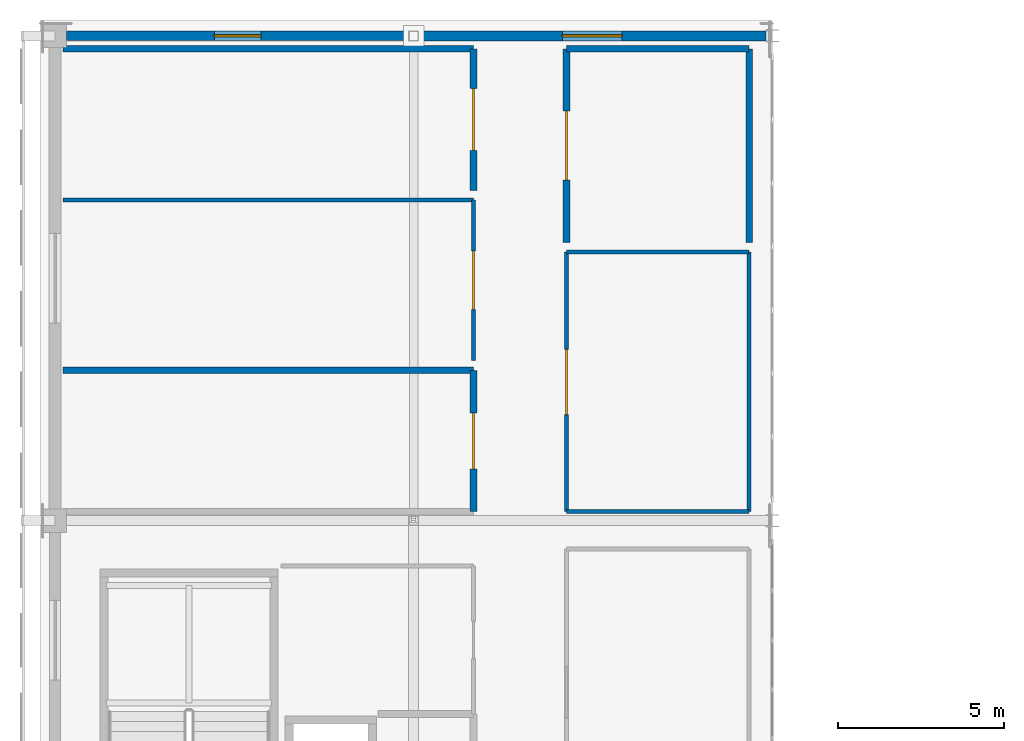
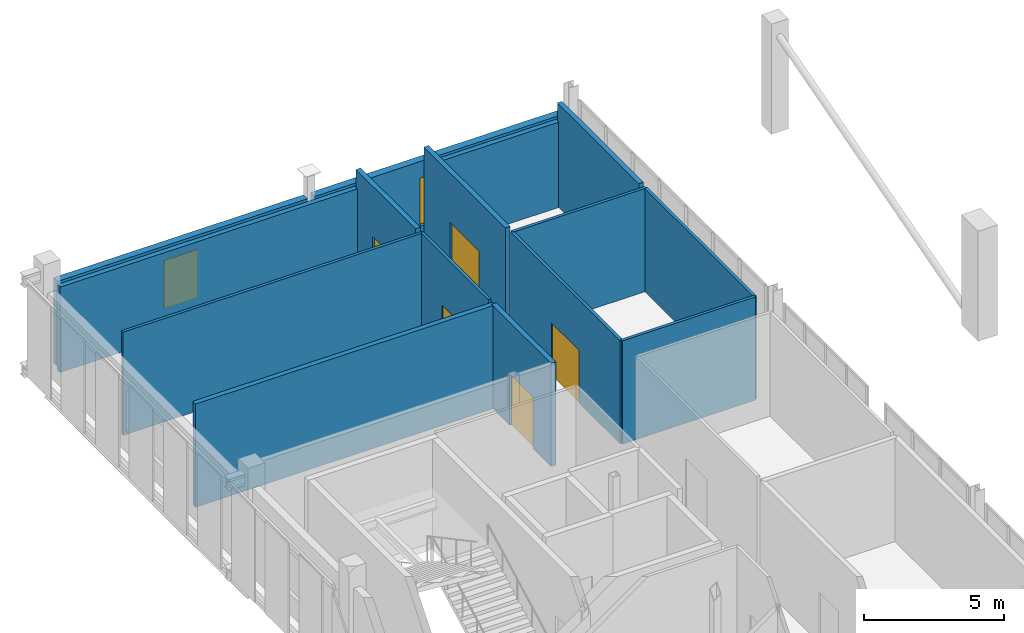
# One storey, part 35 of 51: 15 walls, 5 doors, 2 windows, 7 openings.
"""IFC4 building model written with IfcOpenShell, lengths in metres."""

from ifc_helpers import new_model, si_unit, direction, frame, frame_2d, origin, place, context, subcontext, project, spatial, rectangle, extrude, material, layer, layer_set, type_object, element, fill, save


model = new_model("IFC4")

# Units and contexts
model_context = context("Model", 3, precision=1e-05, world=origin(), true_north=direction((0.0, 1.0)))
body_context = subcontext(model_context, "Body", "Model", "MODEL_VIEW")
ifc_project = project(units=[si_unit("LENGTHUNIT", "METRE"), si_unit("AREAUNIT", "SQUARE_METRE"), si_unit("VOLUMEUNIT", "CUBIC_METRE"), si_unit("PLANEANGLEUNIT", "RADIAN"), si_unit("MASSUNIT", "GRAM", prefix="KILO")], contexts=[model_context])

# Site, building, storey
site_placement = place(None, origin())
site = spatial("IfcSite", under=ifc_project, at=site_placement, CompositionType="ELEMENT")
building_placement = place(site_placement, origin())
building = spatial("IfcBuilding", under=site, at=building_placement, Name="Koshinbarg Plaza Stadium", CompositionType="ELEMENT")
storey_placement = place(building_placement, frame((0.0, 0.0, 24.60009765625)))
storey = spatial("IfcBuildingStorey", under=building, at=storey_placement, Name="L05", CompositionType="ELEMENT", Elevation=24.60009765625)

# Wall, opening, window
ifc_material_1 = material(Name="Terracotta-ochre mineral plaster insulated wall", Category="masonry")
ifc_layer_1 = layer(ifc_material_1, 0.280029296875)
ifc_layer_set_1 = layer_set([ifc_layer_1], Name="Terracotta-ochre mineral plaster insulated wall")
wall_type_1 = type_object("IfcWallType", Name="WL-EXT-280", PredefinedType="SOLIDWALL", material=ifc_layer_set_1)
wall_1_placement = place(storey_placement, frame((24.945068359375, 126.5, 0.0), z_axis=(0.0, 0.0, 1.0), x_axis=(1.0, 0.0, 0.0)))
wall_1 = element("IfcWall", 1, at=wall_1_placement, inside=storey, type_object=wall_type_1, Name="L05 exterior envelope wall EWL-L05-0232", PredefinedType="SOLIDWALL", context=body_context, shape_type="SweptSolid", body=[
    extrude(rectangle(XDim=10.309814453125, YDim=0.280029296875, at=frame_2d((5.15478515625, 0.0))), origin(), (0.0, 0.0, 1.0), 3.719970703125),
])
opening_1_placement = place(wall_1_placement, frame((4.455078125, 0.0, 0.89990234375)))
opening_1 = element("IfcOpeningElement", 2, at=opening_1_placement, cuts=wall_1, Name="Opening WN13", PredefinedType="OPENING", context=body_context, shape_type="SweptSolid", body=[
    extrude(rectangle(XDim=1.39990234375, YDim=2.10009765625, at=frame_2d((0.699951171875, 1.050048828125))), frame((0.0, 0.14990234375, 0.0), z_axis=(0.0, -1.0, 0.0), x_axis=(1.0, 0.0, 0.0)), (0.0, 0.0, 1.0), 0.300048828125),
])
ifc_material_2 = material(Name="Solar-control double glazing in thermally broken aluminium frame", Category="aluminium")
window_type_1 = type_object("IfcWindowType", Name="WN-FAC-13", PartitioningType="DOUBLE_PANEL_VERTICAL", PredefinedType="WINDOW", material=ifc_material_2)
window_1_placement = place(opening_1_placement, origin())
window_1 = element("IfcWindow", 3, at=window_1_placement, inside=storey, type_object=window_type_1, Name="L05 facade window 0164", OverallHeight=2.10009765625, OverallWidth=1.39990234375, PartitioningType="SINGLE_PANEL", PredefinedType="WINDOW", context=body_context, shape_type="SweptSolid", body=[
    extrude(rectangle(XDim=1.39990234375, YDim=2.10009765625, at=frame_2d((0.699951171875, 1.050048828125))), frame((0.0, 0.030029296875, 0.0), z_axis=(0.0, -1.0, 0.0), x_axis=(1.0, 0.0, 0.0)), (0.0, 0.0, 1.0), 0.06005859375),
])
fill(opening_1, window_1)

ifc_material_3 = material(Name="Off-white mineral plaster insulated wall", Category="masonry")
ifc_layer_2 = layer(ifc_material_3, 0.300048828125)
ifc_layer_set_2 = layer_set([ifc_layer_2], Name="Off-white mineral plaster insulated wall")
wall_type_2 = type_object("IfcWallType", Name="WL-EXT-300", PredefinedType="SOLIDWALL", material=ifc_layer_set_2)
wall_2_placement = place(storey_placement, frame((35.544921875, 126.5, 0.0), z_axis=(0.0, 0.0, 1.0), x_axis=(1.0, 0.0, 0.0)))
wall_2 = element("IfcWall", 4, at=wall_2_placement, inside=storey, type_object=wall_type_2, Name="L05 exterior envelope wall EWL-L05-0233", PredefinedType="SOLIDWALL", context=body_context, shape_type="SweptSolid", body=[
    extrude(rectangle(XDim=10.462646484375, YDim=0.300048828125, at=frame_2d((5.2314453125, 0.0))), origin(), (0.0, 0.0, 1.0), 3.719970703125),
])
opening_2_placement = place(wall_2_placement, frame((4.331298828125, 0.0, 0.89990234375)))
opening_2 = element("IfcOpeningElement", 5, at=opening_2_placement, cuts=wall_2, Name="Opening WN14", PredefinedType="OPENING", context=body_context, shape_type="SweptSolid", body=[
    extrude(rectangle(XDim=1.800048828125, YDim=2.10009765625, at=frame_2d((0.89990234375, 1.050048828125))), frame((0.0, 0.159912109375, 0.0), z_axis=(0.0, -1.0, 0.0), x_axis=(1.0, 0.0, 0.0)), (0.0, 0.0, 1.0), 0.320068359375),
])
window_type_2 = type_object("IfcWindowType", Name="WN-FAC-14", PartitioningType="DOUBLE_PANEL_VERTICAL", PredefinedType="WINDOW", material=ifc_material_2)
window_2_placement = place(opening_2_placement, origin())
window_2 = element("IfcWindow", 6, at=window_2_placement, inside=storey, type_object=window_type_2, Name="L05 facade window 0165", OverallHeight=2.10009765625, OverallWidth=1.800048828125, PartitioningType="SINGLE_PANEL", PredefinedType="WINDOW", context=body_context, shape_type="SweptSolid", body=[
    extrude(rectangle(XDim=1.800048828125, YDim=2.10009765625, at=frame_2d((0.89990234375, 1.050048828125))), frame((0.0, 0.030029296875, 0.0), z_axis=(0.0, -1.0, 0.0), x_axis=(1.0, 0.0, 0.0)), (0.0, 0.0, 1.0), 0.06005859375),
])
fill(opening_2, window_2)

# Wall, opening, door
ifc_material_4 = material(Name="Gypsum board metal-stud acoustic partition")
ifc_layer_3 = layer(ifc_material_4, 0.1201171875)
ifc_layer_set_3 = layer_set([ifc_layer_3], Name="Gypsum board metal-stud acoustic partition")
wall_type_3 = type_object("IfcWallType", Name="WL-PART-120", PredefinedType="PARTITIONING", material=ifc_layer_set_3)
wall_3_placement = place(storey_placement, frame((37.199951171875, 116.72509765625, 0.0), z_axis=(0.0, 0.0, 1.0), x_axis=(0.0, 1.0, 0.0)))
wall_3 = element("IfcWall", 7, at=wall_3_placement, inside=storey, type_object=wall_type_3, Name="L05 interior partition L05-56-east IWL-L05-2317", PredefinedType="PARTITIONING", context=body_context, shape_type="SweptSolid", body=[
    extrude(rectangle(XDim=4.82470703125, YDim=0.1201171875, at=frame_2d((2.412353515625, 0.0))), origin(), (0.0, 0.0, 1.0), 4.5),
])
opening_3_placement = place(wall_3_placement, frame((1.5322265625, 0.0, 0.0)))
opening_3 = element("IfcOpeningElement", 8, at=opening_3_placement, cuts=wall_3, Name="Opening D-0803", PredefinedType="OPENING", context=body_context, shape_type="SweptSolid", body=[
    extrude(rectangle(XDim=1.760009765625, YDim=2.25, at=frame_2d((0.8798828125, 1.125))), frame((0.0, 0.070068359375, 0.0), z_axis=(0.0, -1.0, 0.0), x_axis=(1.0, 0.0, 0.0)), (0.0, 0.0, 1.0), 0.14013671875),
])
ifc_material_5 = material(Name="Solid-core oak veneer double swing door")
door_type_1 = type_object("IfcDoorType", Name="DR-INT-1760x2250", OperationType="NOTDEFINED", PredefinedType="DOOR", material=ifc_material_5)
door_1_placement = place(opening_3_placement, origin())
door_1 = element("IfcDoor", 9, at=door_1_placement, inside=storey, type_object=door_type_1, Name="L05 Sports Science Salon door D-0803", OperationType="DOUBLE_DOOR_SINGLE_SWING", OverallHeight=2.25, OverallWidth=1.760009765625, PredefinedType="DOOR", context=body_context, shape_type="SweptSolid", body=[
    extrude(rectangle(XDim=1.760009765625, YDim=2.25, at=frame_2d((0.8798828125, 1.125))), frame((0.0, 0.02490234375, 0.0), z_axis=(0.0, -1.0, 0.0), x_axis=(1.0, 0.0, 0.0)), (0.0, 0.0, 1.0), 0.050048828125),
])
fill(opening_3, door_1)

# Walls
wall_4_placement = place(storey_placement, frame((37.199951171875, 121.5498046875, 0.0), z_axis=(0.0, 0.0, 1.0), x_axis=(-1.0, 0.0, 0.0)))
element("IfcWall", 10, at=wall_4_placement, inside=storey, type_object=wall_type_3, Name="L05 interior partition L05-56-north IWL-L05-2318", PredefinedType="PARTITIONING", context=body_context, shape_type="SweptSolid", body=[
    extrude(rectangle(XDim=12.35498046875, YDim=0.1201171875, at=frame_2d((6.177490234375, 0.0))), origin(), (0.0, 0.0, 1.0), 4.5),
])
wall_5_placement = place(storey_placement, frame((40.0, 112.169921875, 0.0), z_axis=(0.0, 0.0, 1.0), x_axis=(1.0, 0.0, 0.0)))
element("IfcWall", 11, at=wall_5_placement, inside=storey, type_object=wall_type_3, Name="L05 interior partition L05-58-south IWL-L05-2321", PredefinedType="PARTITIONING", context=body_context, shape_type="SweptSolid", body=[
    extrude(rectangle(XDim=5.5, YDim=0.1201171875, at=frame_2d((2.75, 0.0))), origin(), (0.0, 0.0, 1.0), 4.5),
])
wall_6_placement = place(storey_placement, frame((45.5, 112.169921875, 0.0), z_axis=(0.0, 0.0, 1.0), x_axis=(0.0, 1.0, 0.0)))
element("IfcWall", 12, at=wall_6_placement, inside=storey, type_object=wall_type_3, Name="L05 interior partition L05-58-east IWL-L05-2322", PredefinedType="PARTITIONING", context=body_context, shape_type="SweptSolid", body=[
    extrude(rectangle(XDim=7.81396484375, YDim=0.1201171875, at=frame_2d((3.906982421875, 0.0))), origin(), (0.0, 0.0, 1.0), 4.5),
])
wall_7_placement = place(storey_placement, frame((45.5, 119.98388671875, 0.0), z_axis=(0.0, 0.0, 1.0), x_axis=(-1.0, 0.0, 0.0)))
element("IfcWall", 13, at=wall_7_placement, inside=storey, type_object=wall_type_3, Name="L05 interior partition L05-58-north IWL-L05-2323", PredefinedType="PARTITIONING", context=body_context, shape_type="SweptSolid", body=[
    extrude(rectangle(XDim=5.5, YDim=0.1201171875, at=frame_2d((2.75, 0.0))), origin(), (0.0, 0.0, 1.0), 4.5),
])

# Wall, opening, door
wall_8_placement = place(storey_placement, frame((40.0, 119.98388671875, 0.0), z_axis=(0.0, 0.0, 1.0), x_axis=(0.0, -1.0, 0.0)))
wall_8 = element("IfcWall", 14, at=wall_8_placement, inside=storey, type_object=wall_type_3, Name="L05 interior partition L05-58-west IWL-L05-2324", PredefinedType="PARTITIONING", context=body_context, shape_type="SweptSolid", body=[
    extrude(rectangle(XDim=7.81396484375, YDim=0.1201171875, at=frame_2d((3.906982421875, 0.0))), origin(), (0.0, 0.0, 1.0), 4.5),
])
opening_4_placement = place(wall_8_placement, frame((2.927001953125, 0.0, 0.0)))
opening_4 = element("IfcOpeningElement", 15, at=opening_4_placement, cuts=wall_8, Name="Opening D-0805", PredefinedType="OPENING", context=body_context, shape_type="SweptSolid", body=[
    extrude(rectangle(XDim=1.9599609375, YDim=2.300048828125, at=frame_2d((0.97998046875, 1.14990234375))), frame((0.0, 0.070068359375, 0.0), z_axis=(0.0, -1.0, 0.0), x_axis=(1.0, 0.0, 0.0)), (0.0, 0.0, 1.0), 0.14013671875),
])
ifc_material_6 = material(Name="Bronze-anodised aluminium glazed double door", Category="aluminium")
door_type_2 = type_object("IfcDoorType", Name="DR-INT-1960x2300", OperationType="NOTDEFINED", PredefinedType="DOOR", material=ifc_material_6)
door_2_placement = place(opening_4_placement, origin())
door_2 = element("IfcDoor", 16, at=door_2_placement, inside=storey, type_object=door_type_2, Name="L05 Sports Science Salon door D-0805", OperationType="DOUBLE_DOOR_SINGLE_SWING", OverallHeight=2.300048828125, OverallWidth=1.9599609375, PredefinedType="DOOR", context=body_context, shape_type="SweptSolid", body=[
    extrude(rectangle(XDim=1.9599609375, YDim=2.300048828125, at=frame_2d((0.97998046875, 1.14990234375))), frame((0.0, 0.02490234375, 0.0), z_axis=(0.0, -1.0, 0.0), x_axis=(1.0, 0.0, 0.0)), (0.0, 0.0, 1.0), 0.050048828125),
])
fill(opening_4, door_2)

ifc_material_7 = material(Name="Autoclaved aerated blockwork fire partition", Category="masonry")
ifc_layer_4 = layer(ifc_material_7, 0.199951171875)
ifc_layer_set_4 = layer_set([ifc_layer_4], Name="Autoclaved aerated blockwork fire partition")
wall_type_4 = type_object("IfcWallType", Name="WL-PART-200", PredefinedType="PARTITIONING", material=ifc_layer_set_4)
wall_9_placement = place(storey_placement, frame((37.199951171875, 112.169921875, 0.0), z_axis=(0.0, 0.0, 1.0), x_axis=(0.0, 1.0, 0.0)))
wall_9 = element("IfcWall", 17, at=wall_9_placement, inside=storey, type_object=wall_type_4, Name="L05 interior partition L05-55-east IWL-L05-2315", PredefinedType="PARTITIONING", context=body_context, shape_type="SweptSolid", body=[
    extrude(rectangle(XDim=4.25537109375, YDim=0.199951171875, at=frame_2d((2.127685546875, 0.0))), origin(), (0.0, 0.0, 1.0), 4.5),
])
opening_5_placement = place(wall_9_placement, frame((1.28759765625, 0.0, 0.0)))
opening_5 = element("IfcOpeningElement", 18, at=opening_5_placement, cuts=wall_9, Name="Opening D-0802", PredefinedType="OPENING", context=body_context, shape_type="SweptSolid", body=[
    extrude(rectangle(XDim=1.679931640625, YDim=2.25, at=frame_2d((0.83984375, 1.125))), frame((0.0, 0.10986328125, 0.0), z_axis=(0.0, -1.0, 0.0), x_axis=(1.0, 0.0, 0.0)), (0.0, 0.0, 1.0), 0.219970703125),
])
ifc_material_8 = material(Name="Powder-coated aluminium double glazed door", Category="aluminium")
door_type_3 = type_object("IfcDoorType", Name="DR-INT-1680x2250", OperationType="NOTDEFINED", PredefinedType="DOOR", material=ifc_material_8)
door_3_placement = place(opening_5_placement, origin())
door_3 = element("IfcDoor", 19, at=door_3_placement, inside=storey, type_object=door_type_3, Name="L05 Stadium Operations Control door D-0802", OperationType="DOUBLE_DOOR_SINGLE_SWING", OverallHeight=2.25, OverallWidth=1.679931640625, PredefinedType="DOOR", context=body_context, shape_type="SweptSolid", body=[
    extrude(rectangle(XDim=1.679931640625, YDim=2.25, at=frame_2d((0.83984375, 1.125))), frame((0.0, 0.02490234375, 0.0), z_axis=(0.0, -1.0, 0.0), x_axis=(1.0, 0.0, 0.0)), (0.0, 0.0, 1.0), 0.050048828125),
])
fill(opening_5, door_3)

# Wall
wall_10_placement = place(storey_placement, frame((37.199951171875, 116.42529296875, 0.0), z_axis=(0.0, 0.0, 1.0), x_axis=(-1.0, 0.0, 0.0)))
element("IfcWall", 20, at=wall_10_placement, inside=storey, type_object=wall_type_4, Name="L05 interior partition L05-55-north IWL-L05-2316", PredefinedType="PARTITIONING", context=body_context, shape_type="SweptSolid", body=[
    extrude(rectangle(XDim=12.35498046875, YDim=0.199951171875, at=frame_2d((6.177490234375, 0.0))), origin(), (0.0, 0.0, 1.0), 4.5),
])

# Wall, opening, door
wall_11_placement = place(storey_placement, frame((37.199951171875, 121.849853515625, 0.0), z_axis=(0.0, 0.0, 1.0), x_axis=(0.0, 1.0, 0.0)))
wall_11 = element("IfcWall", 21, at=wall_11_placement, inside=storey, type_object=wall_type_4, Name="L05 interior partition L05-57-east IWL-L05-2319", PredefinedType="PARTITIONING", context=body_context, shape_type="SweptSolid", body=[
    extrude(rectangle(XDim=4.255126953125, YDim=0.199951171875, at=frame_2d((2.12744140625, 0.0))), origin(), (0.0, 0.0, 1.0), 4.5),
])
opening_6_placement = place(wall_11_placement, frame((1.197509765625, 0.0, 0.0)))
opening_6 = element("IfcOpeningElement", 22, at=opening_6_placement, cuts=wall_11, Name="Opening D-0804", PredefinedType="OPENING", context=body_context, shape_type="SweptSolid", body=[
    extrude(rectangle(XDim=1.860107421875, YDim=2.300048828125, at=frame_2d((0.93017578125, 1.14990234375))), frame((0.0, 0.10986328125, 0.0), z_axis=(0.0, -1.0, 0.0), x_axis=(1.0, 0.0, 0.0)), (0.0, 0.0, 1.0), 0.219970703125),
])
ifc_material_9 = material(Name="Acoustic solid-core walnut veneer fire door")
door_type_4 = type_object("IfcDoorType", Name="DR-INT-1860x2300", OperationType="NOTDEFINED", PredefinedType="DOOR", material=ifc_material_9)
door_4_placement = place(opening_6_placement, origin())
door_4 = element("IfcDoor", 23, at=door_4_placement, inside=storey, type_object=door_type_4, Name="L05 Event Security Control door D-0804", OperationType="DOUBLE_DOOR_SINGLE_SWING", OverallHeight=2.300048828125, OverallWidth=1.860107421875, PredefinedType="DOOR", context=body_context, shape_type="SweptSolid", body=[
    extrude(rectangle(XDim=1.860107421875, YDim=2.300048828125, at=frame_2d((0.93017578125, 1.14990234375))), frame((0.0, 0.02490234375, 0.0), z_axis=(0.0, -1.0, 0.0), x_axis=(1.0, 0.0, 0.0)), (0.0, 0.0, 1.0), 0.050048828125),
])
fill(opening_6, door_4)

# Walls
wall_12_placement = place(storey_placement, frame((37.199951171875, 126.10498046875, 0.0), z_axis=(0.0, 0.0, 1.0), x_axis=(-1.0, 0.0, 0.0)))
element("IfcWall", 24, at=wall_12_placement, inside=storey, type_object=wall_type_4, Name="L05 interior partition L05-57-north IWL-L05-2320", PredefinedType="PARTITIONING", context=body_context, shape_type="SweptSolid", body=[
    extrude(rectangle(XDim=12.35498046875, YDim=0.199951171875, at=frame_2d((6.177490234375, 0.0))), origin(), (0.0, 0.0, 1.0), 3.719970703125),
])
wall_13_placement = place(storey_placement, frame((45.5, 120.283935546875, 0.0), z_axis=(0.0, 0.0, 1.0), x_axis=(0.0, 1.0, 0.0)))
element("IfcWall", 25, at=wall_13_placement, inside=storey, type_object=wall_type_4, Name="L05 interior partition L05-59-east IWL-L05-2325", PredefinedType="PARTITIONING", context=body_context, shape_type="SweptSolid", body=[
    extrude(rectangle(XDim=5.821044921875, YDim=0.199951171875, at=frame_2d((2.91064453125, 0.0))), origin(), (0.0, 0.0, 1.0), 4.5),
])
wall_14_placement = place(storey_placement, frame((45.5, 126.10498046875, 0.0), z_axis=(0.0, 0.0, 1.0), x_axis=(-1.0, 0.0, 0.0)))
element("IfcWall", 26, at=wall_14_placement, inside=storey, type_object=wall_type_4, Name="L05 interior partition L05-59-north IWL-L05-2326", PredefinedType="PARTITIONING", context=body_context, shape_type="SweptSolid", body=[
    extrude(rectangle(XDim=5.5, YDim=0.199951171875, at=frame_2d((2.75, 0.0))), origin(), (0.0, 0.0, 1.0), 3.719970703125),
])

# Wall, opening, door
wall_15_placement = place(storey_placement, frame((40.0, 126.10498046875, 0.0), z_axis=(0.0, 0.0, 1.0), x_axis=(0.0, -1.0, 0.0)))
wall_15 = element("IfcWall", 27, at=wall_15_placement, inside=storey, type_object=wall_type_4, Name="L05 interior partition L05-59-west IWL-L05-2327", PredefinedType="PARTITIONING", context=body_context, shape_type="SweptSolid", body=[
    extrude(rectangle(XDim=5.821044921875, YDim=0.199951171875, at=frame_2d((2.91064453125, 0.0))), origin(), (0.0, 0.0, 1.0), 4.5),
])
opening_7_placement = place(wall_15_placement, frame((1.87060546875, 0.0, 0.0)))
opening_7 = element("IfcOpeningElement", 28, at=opening_7_placement, cuts=wall_15, Name="Opening D-0806", PredefinedType="OPENING", context=body_context, shape_type="SweptSolid", body=[
    extrude(rectangle(XDim=2.080078125, YDim=2.35009765625, at=frame_2d((1.0400390625, 1.175048828125))), frame((0.0, 0.10986328125, 0.0), z_axis=(0.0, -1.0, 0.0), x_axis=(1.0, 0.0, 0.0)), (0.0, 0.0, 1.0), 0.219970703125),
])
ifc_material_10 = material(Name="Laminated safety glass aluminium vestibule door", Category="aluminium")
door_type_5 = type_object("IfcDoorType", Name="DR-INT-2080x2350", OperationType="NOTDEFINED", PredefinedType="DOOR", material=ifc_material_10)
door_5_placement = place(opening_7_placement, origin())
door_5 = element("IfcDoor", 29, at=door_5_placement, inside=storey, type_object=door_type_5, Name="L05 Event Security Control door D-0806", OperationType="DOUBLE_DOOR_SINGLE_SWING", OverallHeight=2.35009765625, OverallWidth=2.080078125, PredefinedType="DOOR", context=body_context, shape_type="SweptSolid", body=[
    extrude(rectangle(XDim=2.080078125, YDim=2.35009765625, at=frame_2d((1.0400390625, 1.175048828125))), frame((0.0, 0.02490234375, 0.0), z_axis=(0.0, -1.0, 0.0), x_axis=(1.0, 0.0, 0.0)), (0.0, 0.0, 1.0), 0.050048828125),
])
fill(opening_7, door_5)

save(model, "model.ifc")
